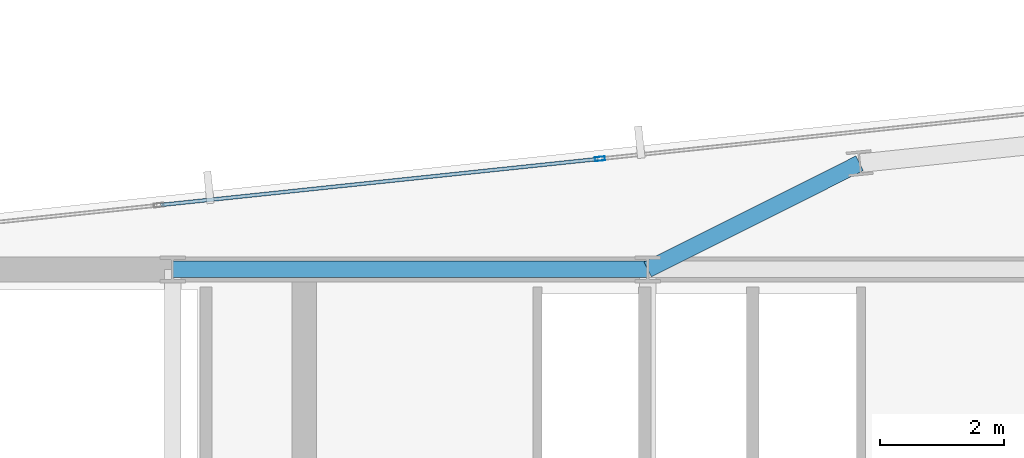
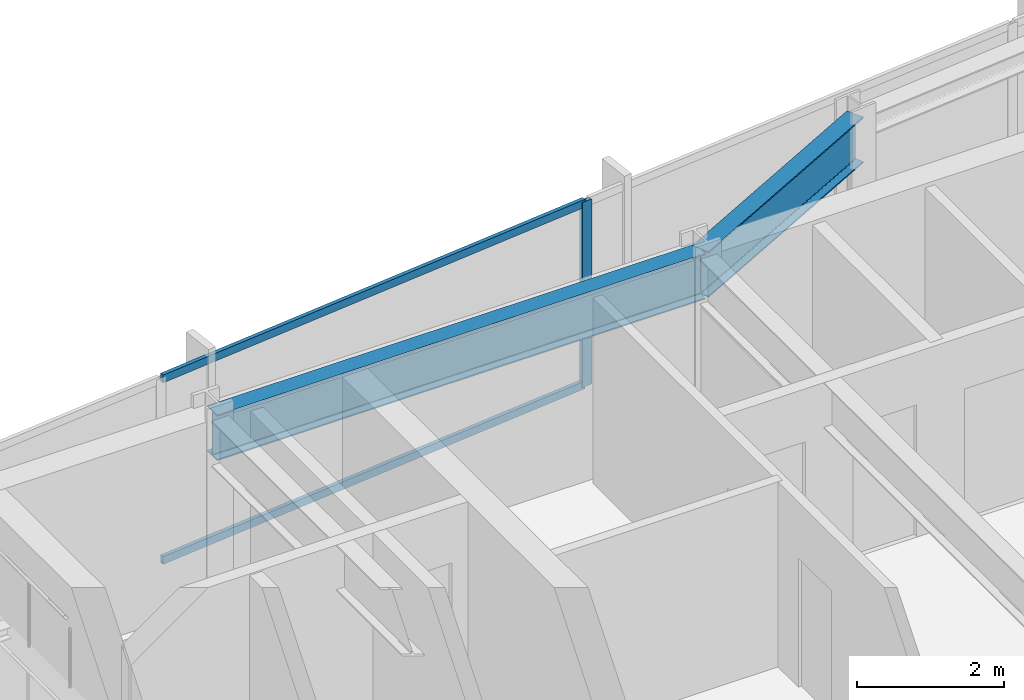
# One storey, part 21 of 33: 3 members, 2 beams, 1 element without a shape of its own.
"""IFC4 building model written with IfcOpenShell, lengths in metres."""

from ifc_helpers import new_model, si_unit, direction, frame, origin, origin_2d, place, context, subcontext, project, spatial, hollow_rectangle, i_section, extrude, material, material_profile, profile_set, type_object, element, aggregate, save


model = new_model("IFC4")

# Units and contexts
model_context = context("Model", 3, precision=1e-05, world=origin(), true_north=direction((0.0, 1.0)))
body_context = subcontext(model_context, "Body", "Model", "MODEL_VIEW")
ifc_project = project(units=[si_unit("LENGTHUNIT", "METRE"), si_unit("AREAUNIT", "SQUARE_METRE"), si_unit("VOLUMEUNIT", "CUBIC_METRE"), si_unit("PLANEANGLEUNIT", "RADIAN"), si_unit("MASSUNIT", "GRAM", prefix="KILO")], contexts=[model_context])

# Site, building, storey
site_placement = place(None, origin())
site = spatial("IfcSite", under=ifc_project, at=site_placement, CompositionType="ELEMENT")
building_placement = place(site_placement, origin())
building = spatial("IfcBuilding", under=site, at=building_placement, Name="Yelkora Congress Tower", CompositionType="ELEMENT")
storey_placement = place(building_placement, frame((0.0, 0.0, 221.0)))
storey = spatial("IfcBuildingStorey", under=building, at=storey_placement, Name="L61", CompositionType="ELEMENT", Elevation=221.0)

# Beams
ifc_material_1 = material(Name="Steel S355J2", Category="steel")
ifc_material_profile_1 = material_profile(ifc_material_1, i_section(OverallWidth=0.26708984375, OverallDepth=0.761962890625, WebThickness=0.014404296875, FlangeThickness=0.021484375, FilletRadius=0.01708984375, at=origin_2d()), Name="IPE 750x173")
ifc_profile_set_1 = profile_set([ifc_material_profile_1], Name="Steel S355J2")
beam_type = type_object("IfcBeamType", Name="BM-GIRD-IPE750", PredefinedType="BEAM", material=ifc_profile_set_1)
beam_1_placement = place(storey_placement, frame((30.719970703125, 46.199951171875, 2.698974609375), z_axis=(1.0, 0.0, 0.0), x_axis=(0.0, 1.0, 0.0)))
element("IfcBeam", 1, at=beam_1_placement, inside=storey, type_object=beam_type, Name="L61 Core North Girder 3", PredefinedType="BEAM", context=body_context, shape_type="SweptSolid", body=[
    extrude(i_section(OverallWidth=0.26708984375, OverallDepth=0.761962890625, WebThickness=0.014404296875, FlangeThickness=0.021484375, FilletRadius=0.01708984375, at=origin_2d()), origin(), (0.0, 0.0, 1.0), 7.679931640625),
])
beam_2_placement = place(storey_placement, frame((41.828125, 47.91748046875, 2.698974609375), z_axis=(-0.894070348256, -0.447926570288, 0.0), x_axis=(0.447926570288, -0.894070348256, 0.0)))
element("IfcBeam", 2, at=beam_2_placement, inside=storey, type_object=beam_type, Name="L61 Primary Frame Girder N04", PredefinedType="BEAM", context=body_context, shape_type="SweptSolid", body=[
    extrude(i_section(OverallWidth=0.26708984375, OverallDepth=0.761962890625, WebThickness=0.014404296875, FlangeThickness=0.021484375, FilletRadius=0.01708984375, at=origin_2d()), origin(), (0.0, 0.0, 1.0), 3.83447265625),
])

# Curtain wall, members
ifc_material_2 = material(Name="Anodised aluminium and insulated glass", Category="aluminium")
curtain_wall_type = type_object("IfcCurtainWallType", Name="CW-SYS-B4", PredefinedType="NOTDEFINED", material=ifc_material_2)
curtain_wall_placement = place(storey_placement, origin())
curtain_wall = element("IfcCurtainWall", 3, at=curtain_wall_placement, inside=storey, type_object=curtain_wall_type, Name="L61 Unitised Curtain Wall 10 (3)", PredefinedType="NOTDEFINED")
ifc_material_3 = material(Name="Anodised aluminium 6063-T6", Category="aluminium")
ifc_material_profile_2 = material_profile(ifc_material_3, hollow_rectangle(XDim=0.06494140625, YDim=0.159912109375, WallThickness=0.00390625, at=origin_2d()), Name="ALU 65x160x4")
ifc_profile_set_2 = profile_set([ifc_material_profile_2], Name="Anodised aluminium 6063-T6")
member_type_1 = type_object("IfcMemberType", Name="MEM-ML-B4", PredefinedType="MULLION", material=ifc_profile_set_2)
member_1_placement = place(storey_placement, frame((37.62744140625, 47.98876953125, 0.0), z_axis=(0.0, 0.0, 1.0), x_axis=(-0.104527724021, 0.994521973066, 0.0)))
member_1 = element("IfcMember", 4, at=member_1_placement, type_object=member_type_1, Name="CW-B4 mullion 3", PredefinedType="MULLION", context=body_context, shape_type="SweptSolid", body=[
    extrude(hollow_rectangle(XDim=0.06494140625, YDim=0.159912109375, WallThickness=0.00390625, at=origin_2d()), origin(), (0.0, 0.0, 1.0), 3.080078125),
])
ifc_material_profile_3 = material_profile(ifc_material_3, hollow_rectangle(XDim=0.06005859375, YDim=0.1298828125, WallThickness=0.00390625, at=origin_2d()), Name="ALU 60x130x4")
ifc_profile_set_3 = profile_set([ifc_material_profile_3], Name="Anodised aluminium 6063-T6")
member_type_2 = type_object("IfcMemberType", Name="MEM-TR-B4", PredefinedType="USERDEFINED", material=ifc_profile_set_3)
member_2_placement = place(storey_placement, frame((30.529052734375, 47.24267578125, 0.030029296875), z_axis=(0.99452200925, 0.104527379751, 0.0), x_axis=(-0.104527379751, 0.99452200925, 0.0)))
member_2 = element("IfcMember", 5, at=member_2_placement, type_object=member_type_2, Name="CW-B4 transom 2.1", ObjectType="TRANSOM", PredefinedType="USERDEFINED", context=body_context, shape_type="SweptSolid", body=[
    extrude(hollow_rectangle(XDim=0.06005859375, YDim=0.1298828125, WallThickness=0.00390625, at=origin_2d()), origin(), (0.0, 0.0, 1.0), 7.10498046875),
])
member_3_placement = place(storey_placement, frame((30.529052734375, 47.24267578125, 3.050048828125), z_axis=(0.99452200925, 0.104527379751, 0.0), x_axis=(-0.104527379751, 0.99452200925, 0.0)))
member_3 = element("IfcMember", 6, at=member_3_placement, type_object=member_type_2, Name="CW-B4 transom 2.2", ObjectType="TRANSOM", PredefinedType="USERDEFINED", context=body_context, shape_type="SweptSolid", body=[
    extrude(hollow_rectangle(XDim=0.06005859375, YDim=0.1298828125, WallThickness=0.00390625, at=origin_2d()), origin(), (0.0, 0.0, 1.0), 7.10498046875),
])
aggregate(curtain_wall, [member_1, member_2, member_3])

save(model, "model.ifc")
